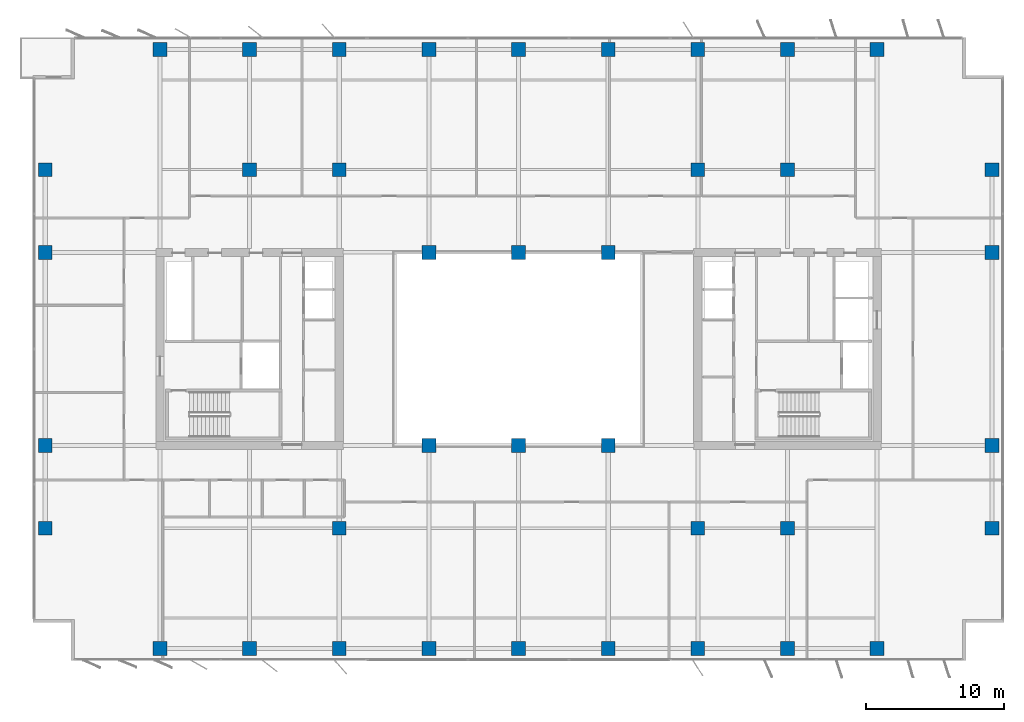
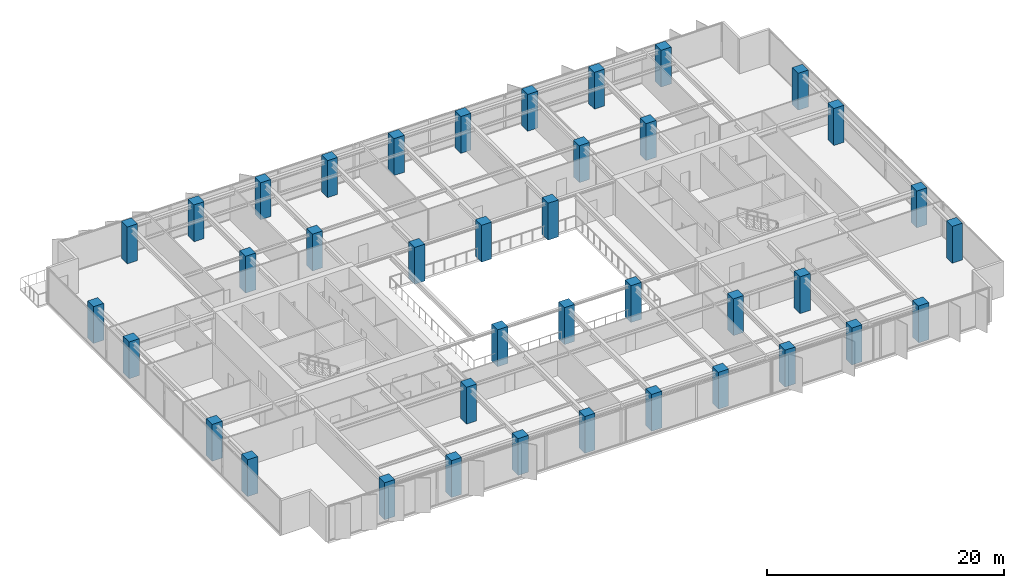
# One storey, part 1 of 22: 39 columns.
"""IFC4 building model written with IfcOpenShell, lengths in metres."""

from ifc_helpers import new_model, si_unit, direction, frame, origin, origin_2d, place, context, subcontext, project, spatial, rectangle, extrude, material, material_profile, profile_set, type_object, element, save


model = new_model("IFC4")

# Units and contexts
model_context = context("Model", 3, precision=1e-05, world=origin(), true_north=direction((0.0, 1.0)))
body_context = subcontext(model_context, "Body", "Model", "MODEL_VIEW")
ifc_project = project(units=[si_unit("LENGTHUNIT", "METRE"), si_unit("AREAUNIT", "SQUARE_METRE"), si_unit("VOLUMEUNIT", "CUBIC_METRE"), si_unit("PLANEANGLEUNIT", "RADIAN"), si_unit("MASSUNIT", "GRAM", prefix="KILO")], contexts=[model_context])

# Site, building, storey
site_placement = place(None, origin())
site = spatial("IfcSite", under=ifc_project, at=site_placement, CompositionType="ELEMENT")
building_placement = place(site_placement, origin())
building = spatial("IfcBuilding", under=site, at=building_placement, Name="Putna Gate Headquarters", CompositionType="ELEMENT")
storey_placement = place(building_placement, frame((0.0, 0.0, 151.800048828125)))
storey = spatial("IfcBuildingStorey", under=building, at=storey_placement, Name="L37", CompositionType="ELEMENT", Elevation=151.800048828125)

# Columns
ifc_material = material(Name="Concrete C50/60", Category="concrete")
ifc_material_profile_1 = material_profile(ifc_material, rectangle(XDim=1.0, YDim=1.0, at=origin_2d()), Name="Concrete C50/60")
ifc_profile_set_1 = profile_set([ifc_material_profile_1], Name="Concrete C50/60")
column_type_1 = type_object("IfcColumnType", Name="COL-RC1000-EXT", PredefinedType="COLUMN", material=ifc_profile_set_1)
for number, where, z_axis, x_axis, name in (
    (1, (13.0, 4.280029296875, 0.0), (0.0, 0.0, 1.0), (1.0, 0.0, 0.0), "L37 Column CP-S13"),
    (2, (13.0, 47.719970703125, 0.0), (0.0, 0.0, 1.0), (1.0, 0.0, 0.0), "L37 Column CP-N13"),
    (3, (19.5, 4.280029296875, 0.0), (0.0, 0.0, 1.0), (1.0, 0.0, 0.0), "L37 Column CP-S19"),
    (4, (19.5, 47.719970703125, 0.0), (0.0, 0.0, 1.0), (1.0, 0.0, 0.0), "L37 Column CP-N19"),
    (5, (26.0, 4.280029296875, 0.0), (0.0, 0.0, 1.0), (1.0, 0.0, 0.0), "L37 Column CP-S26"),
    (6, (26.0, 47.719970703125, 0.0), (0.0, 0.0, 1.0), (1.0, 0.0, 0.0), "L37 Column CP-N26"),
    (7, (32.5, 4.280029296875, 0.0), (0.0, 0.0, 1.0), (1.0, 0.0, 0.0), "L37 Column CP-S32"),
    (8, (32.5, 47.719970703125, 0.0), (0.0, 0.0, 1.0), (1.0, 0.0, 0.0), "L37 Column CP-N32"),
    (9, (39.0, 4.280029296875, 0.0), (0.0, 0.0, 1.0), (1.0, 0.0, 0.0), "L37 Column CP-S39"),
    (10, (39.0, 47.719970703125, 0.0), (0.0, 0.0, 1.0), (1.0, 0.0, 0.0), "L37 Column CP-N39"),
    (11, (45.5, 4.280029296875, 0.0), (0.0, 0.0, 1.0), (1.0, 0.0, 0.0), "L37 Column CP-S45"),
    (12, (45.5, 47.719970703125, 0.0), (0.0, 0.0, 1.0), (1.0, 0.0, 0.0), "L37 Column CP-N45"),
    (13, (52.0, 4.280029296875, 0.0), (0.0, 0.0, 1.0), (1.0, 0.0, 0.0), "L37 Column CP-S52"),
    (14, (52.0, 47.719970703125, 0.0), (0.0, 0.0, 1.0), (1.0, 0.0, 0.0), "L37 Column CP-N52"),
    (15, (58.5, 4.280029296875, 0.0), (0.0, 0.0, 1.0), (1.0, 0.0, 0.0), "L37 Column CP-S58"),
    (16, (58.5, 47.719970703125, 0.0), (0.0, 0.0, 1.0), (1.0, 0.0, 0.0), "L37 Column CP-N58"),
    (17, (65.0, 4.280029296875, 0.0), (0.0, 0.0, 1.0), (1.0, 0.0, 0.0), "L37 Column CP-S65"),
    (18, (65.0, 47.719970703125, 0.0), (0.0, 0.0, 1.0), (1.0, 0.0, 0.0), "L37 Column CP-N65"),
    (19, (4.679931640625, 13.0, 0.0), (0.0, 0.0, 1.0), (1.0, 0.0, 0.0), "L37 Column CP-W13"),
    (20, (73.320068359375, 13.0, 0.0), (0.0, 0.0, 1.0), (1.0, 0.0, 0.0), "L37 Column CP-E13"),
    (21, (4.679931640625, 19.0, 0.0), (0.0, 0.0, 1.0), (1.0, 0.0, 0.0), "L37 Column CP-W19"),
    (22, (73.320068359375, 19.0, 0.0), (0.0, 0.0, 1.0), (1.0, 0.0, 0.0), "L37 Column CP-E19"),
    (23, (4.679931640625, 33.0, 0.0), (0.0, 0.0, 1.0), (1.0, 0.0, 0.0), "L37 Column CP-W33"),
    (24, (73.320068359375, 33.0, 0.0), (0.0, 0.0, 1.0), (1.0, 0.0, 0.0), "L37 Column CP-E33"),
    (25, (4.679931640625, 39.0, 0.0), (0.0, 0.0, 1.0), (1.0, 0.0, 0.0), "L37 Column CP-W39"),
    (26, (73.320068359375, 39.0, 0.0), (0.0, 0.0, 1.0), (1.0, 0.0, 0.0), "L37 Column CP-E39"),
):
    element("IfcColumn", number, at=place(storey_placement, frame(where, z_axis=z_axis, x_axis=x_axis)), inside=storey, type_object=column_type_1, Name=name, PredefinedType="COLUMN", context=body_context, shape_type="SweptSolid", body=[
        extrude(rectangle(XDim=1.0, YDim=1.0, at=origin_2d()), origin(), (0.0, 0.0, 1.0), 3.800048828125),
    ])
ifc_material_profile_2 = material_profile(ifc_material, rectangle(XDim=1.0, YDim=1.0, at=origin_2d()), Name="Concrete C50/60")
ifc_profile_set_2 = profile_set([ifc_material_profile_2], Name="Concrete C50/60")
column_type_2 = type_object("IfcColumnType", Name="COL-RC1000-INT", PredefinedType="COLUMN", material=ifc_profile_set_2)
for number, where, z_axis, x_axis, name in (
    (27, (19.5, 39.0, 0.0), (0.0, 0.0, 1.0), (1.0, 0.0, 0.0), "L37 Column CSI-WN"),
    (28, (58.5, 13.0, 0.0), (0.0, 0.0, 1.0), (1.0, 0.0, 0.0), "L37 Column CSI-ES"),
    (29, (58.5, 39.0, 0.0), (0.0, 0.0, 1.0), (1.0, 0.0, 0.0), "L37 Column CSI-EN"),
    (30, (32.5, 19.0, 0.0), (0.0, 0.0, 1.0), (1.0, 0.0, 0.0), "L37 Column CAI-S32"),
    (31, (32.5, 33.0, 0.0), (0.0, 0.0, 1.0), (1.0, 0.0, 0.0), "L37 Column CAI-N32"),
    (32, (39.0, 19.0, 0.0), (0.0, 0.0, 1.0), (1.0, 0.0, 0.0), "L37 Column CAI-S39"),
    (33, (39.0, 33.0, 0.0), (0.0, 0.0, 1.0), (1.0, 0.0, 0.0), "L37 Column CAI-N39"),
    (34, (45.5, 19.0, 0.0), (0.0, 0.0, 1.0), (1.0, 0.0, 0.0), "L37 Column CAI-S45"),
    (35, (45.5, 33.0, 0.0), (0.0, 0.0, 1.0), (1.0, 0.0, 0.0), "L37 Column CAI-N45"),
    (36, (26.0, 13.0, 0.0), (0.0, 0.0, 1.0), (1.0, 0.0, 0.0), "L37 Column CAP-WS"),
    (37, (26.0, 39.0, 0.0), (0.0, 0.0, 1.0), (1.0, 0.0, 0.0), "L37 Column CAP-WN"),
    (38, (52.0, 13.0, 0.0), (0.0, 0.0, 1.0), (1.0, 0.0, 0.0), "L37 Column CAP-ES"),
    (39, (52.0, 39.0, 0.0), (0.0, 0.0, 1.0), (1.0, 0.0, 0.0), "L37 Column CAP-EN"),
):
    element("IfcColumn", number, at=place(storey_placement, frame(where, z_axis=z_axis, x_axis=x_axis)), inside=storey, type_object=column_type_2, Name=name, PredefinedType="COLUMN", context=body_context, shape_type="SweptSolid", body=[
        extrude(rectangle(XDim=1.0, YDim=1.0, at=origin_2d()), origin(), (0.0, 0.0, 1.0), 3.800048828125),
    ])

save(model, "model.ifc")
